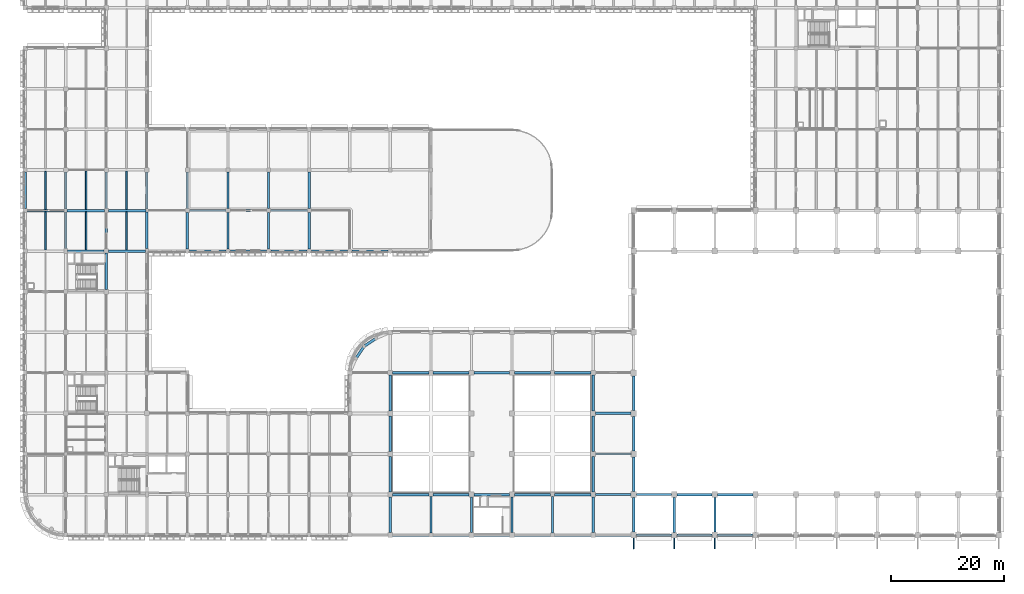
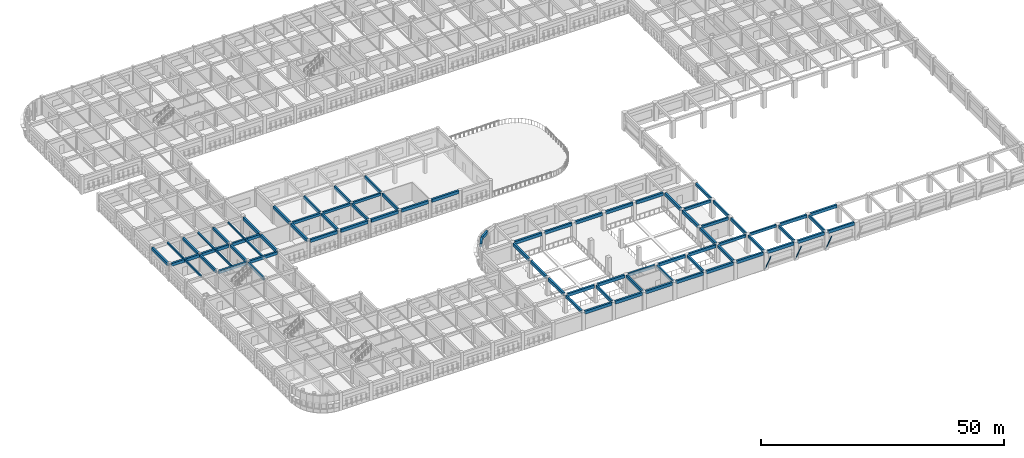
# One storey, part 5 of 61: 80 beams, 3 members.
"""IFC4 building model written with IfcOpenShell, lengths in metres."""

from ifc_helpers import new_model, si_unit, direction, frame, origin, origin_2d, place, context, subcontext, project, spatial, rectangle, hollow_circle, extrude, material, material_profile, profile_set, type_object, element, save


model = new_model("IFC4")

# Units and contexts
model_context = context("Model", 3, precision=1e-05, world=origin(), true_north=direction((0.0, 1.0)))
body_context = subcontext(model_context, "Body", "Model", "MODEL_VIEW")
ifc_project = project(units=[si_unit("LENGTHUNIT", "METRE"), si_unit("AREAUNIT", "SQUARE_METRE"), si_unit("VOLUMEUNIT", "CUBIC_METRE"), si_unit("PLANEANGLEUNIT", "RADIAN"), si_unit("MASSUNIT", "GRAM", prefix="KILO")], contexts=[model_context])

# Site, building, storey
site_placement = place(None, origin())
site = spatial("IfcSite", under=ifc_project, at=site_placement, CompositionType="ELEMENT")
building_placement = place(site_placement, origin())
building = spatial("IfcBuilding", under=site, at=building_placement, Name="Thalmaran Polytechnic", CompositionType="ELEMENT")
storey_placement = place(building_placement, frame((0.0, 0.0, 9.89990234375)))
storey = spatial("IfcBuildingStorey", under=building, at=storey_placement, Name="L02", CompositionType="ELEMENT", Elevation=9.89990234375)

# Beams
ifc_material_1 = material(Name="Concrete C40/50", Category="concrete")
ifc_material_profile_1 = material_profile(ifc_material_1, rectangle(XDim=0.449951171875, YDim=0.72509765625, at=origin_2d()), Name="RC 450x725")
ifc_profile_set_1 = profile_set([ifc_material_profile_1], Name="Concrete C40/50")
beam_type_1 = type_object("IfcBeamType", Name="BM-RC04", PredefinedType="BEAM", material=ifc_profile_set_1)
beam_1_placement = place(storey_placement, frame((7.47509765625, 50.39990234375, 3.862548828125), z_axis=(1.0, 0.0, 0.0), x_axis=(0.0, 1.0, 0.0)))
element("IfcBeam", 1, at=beam_1_placement, inside=storey, type_object=beam_type_1, Name="Grid Beam B04 L02 X(1,7)", PredefinedType="BEAM", context=body_context, shape_type="SweptSolid", body=[
    extrude(rectangle(XDim=0.449951171875, YDim=0.72509765625, at=origin_2d()), origin(), (0.0, 0.0, 1.0), 6.5498046875),
])
beam_2_placement = place(storey_placement, frame((7.39990234375, 57.60009765625, 3.862548828125), z_axis=(1.0, 0.0, 0.0), x_axis=(0.0, 1.0, 0.0)))
element("IfcBeam", 2, at=beam_2_placement, inside=storey, type_object=beam_type_1, Name="Grid Beam B04 L02 X(1,8)", PredefinedType="BEAM", context=body_context, shape_type="SweptSolid", body=[
    extrude(rectangle(XDim=0.449951171875, YDim=0.72509765625, at=origin_2d()), origin(), (0.0, 0.0, 1.0), 6.64013671875),
])
ifc_material_profile_2 = material_profile(ifc_material_1, rectangle(XDim=0.39990234375, YDim=0.64990234375, at=origin_2d()), Name="RC 400x650")
ifc_profile_set_2 = profile_set([ifc_material_profile_2], Name="Concrete C40/50")
beam_type_2 = type_object("IfcBeamType", Name="BM-RC06", PredefinedType="BEAM", material=ifc_profile_set_2)
beam_3_placement = place(storey_placement, frame((36.324951171875, 57.60009765625, 4.175048828125), z_axis=(1.0, 0.0, 0.0), x_axis=(0.0, 1.0, 0.0)))
element("IfcBeam", 3, at=beam_3_placement, inside=storey, type_object=beam_type_2, Name="Grid Beam B06 L02 X(5,8)", PredefinedType="BEAM", context=body_context, shape_type="SweptSolid", body=[
    extrude(rectangle(XDim=0.39990234375, YDim=0.64990234375, at=origin_2d()), origin(), (0.0, 0.0, 1.0), 6.550048828125),
])
beam_4_placement = place(storey_placement, frame((108.47509765625, 7.199951171875, 4.175048828125), z_axis=(1.0, 0.0, 0.0), x_axis=(0.0, 1.0, 0.0)))
element("IfcBeam", 4, at=beam_4_placement, inside=storey, type_object=beam_type_2, Name="Grid Beam B06 L02 X(15,1)", PredefinedType="BEAM", context=body_context, shape_type="SweptSolid", body=[
    extrude(rectangle(XDim=0.39990234375, YDim=0.64990234375, at=origin_2d()), origin(), (0.0, 0.0, 1.0), 6.25),
])
ifc_material_profile_3 = material_profile(ifc_material_1, rectangle(XDim=0.389892578125, YDim=0.68505859375, at=origin_2d()), Name="RC 390x685")
ifc_profile_set_3 = profile_set([ifc_material_profile_3], Name="Concrete C40/50")
beam_type_3 = type_object("IfcBeamType", Name="BM-RC08", PredefinedType="BEAM", material=ifc_profile_set_3)
beam_5_placement = place(storey_placement, frame((14.39990234375, 43.590087890625, 3.882568359375), z_axis=(0.0, 1.0, 0.0), x_axis=(-1.0, 0.0, 0.0)))
element("IfcBeam", 5, at=beam_5_placement, inside=storey, type_object=beam_type_3, Name="Grid Beam B08 L02 Y(2,6)", PredefinedType="BEAM", context=body_context, shape_type="SweptSolid", body=[
    extrude(rectangle(XDim=0.389892578125, YDim=0.68505859375, at=origin_2d()), origin(), (0.0, 0.0, 1.0), 6.434814453125),
])
ifc_material_profile_4 = material_profile(ifc_material_1, rectangle(XDim=0.389892578125, YDim=0.68994140625, at=origin_2d()), Name="RC 390x690")
ifc_profile_set_4 = profile_set([ifc_material_profile_4], Name="Concrete C40/50")
beam_type_4 = type_object("IfcBeamType", Name="BM-RC09", PredefinedType="BEAM", material=ifc_profile_set_4)
beam_6_placement = place(storey_placement, frame((7.199951171875, 57.89990234375, 3.880126953125), z_axis=(0.0, 1.0, 0.0), x_axis=(-1.0, 0.0, 0.0)))
element("IfcBeam", 6, at=beam_6_placement, inside=storey, type_object=beam_type_4, Name="Grid Beam B09 L02 Y(1,8)", PredefinedType="BEAM", context=body_context, shape_type="SweptSolid", body=[
    extrude(rectangle(XDim=0.389892578125, YDim=0.68994140625, at=origin_2d()), origin(), (0.0, 0.0, 1.0), 6.510009765625),
])
beam_7_placement = place(storey_placement, frame((14.39990234375, 57.9599609375, 3.880126953125), z_axis=(0.0, 1.0, 0.0), x_axis=(-1.0, 0.0, 0.0)))
element("IfcBeam", 7, at=beam_7_placement, inside=storey, type_object=beam_type_4, Name="Grid Beam B09 L02 Y(2,8)", PredefinedType="BEAM", context=body_context, shape_type="SweptSolid", body=[
    extrude(rectangle(XDim=0.389892578125, YDim=0.68994140625, at=origin_2d()), origin(), (0.0, 0.0, 1.0), 6.489990234375),
])
for number, where, z_axis, x_axis, name in (
    (8, (36.0, 57.925048828125, 4.155029296875), (0.0, 1.0, 0.0), (-1.0, 0.0, 0.0), "Grid Beam B09 L02 Y(5,8)"),
    (9, (43.199951171875, 57.925048828125, 4.155029296875), (0.0, 1.0, 0.0), (-1.0, 0.0, 0.0), "Grid Beam B09 L02 Y(6,8)"),
    (10, (50.39990234375, 57.925048828125, 4.155029296875), (0.0, 1.0, 0.0), (-1.0, 0.0, 0.0), "Grid Beam B09 L02 Y(7,8)"),
):
    element("IfcBeam", number, at=place(storey_placement, frame(where, z_axis=z_axis, x_axis=x_axis)), inside=storey, type_object=beam_type_4, Name=name, PredefinedType="BEAM", context=body_context, shape_type="SweptSolid", body=[
        extrude(rectangle(XDim=0.389892578125, YDim=0.68994140625, at=origin_2d()), origin(), (0.0, 0.0, 1.0), 6.550048828125),
    ])
beam_8_placement = place(storey_placement, frame((108.0, 7.72509765625, 4.155029296875), z_axis=(0.0, 1.0, 0.0), x_axis=(-1.0, 0.0, 0.0)))
element("IfcBeam", 11, at=beam_8_placement, inside=storey, type_object=beam_type_4, Name="Grid Beam B09 L02 Y(15,1)", PredefinedType="BEAM", context=body_context, shape_type="SweptSolid", body=[
    extrude(rectangle(XDim=0.389892578125, YDim=0.68994140625, at=origin_2d()), origin(), (0.0, 0.0, 1.0), 6.14990234375),
])
ifc_material_profile_5 = material_profile(ifc_material_1, rectangle(XDim=0.389892578125, YDim=0.695068359375, at=origin_2d()), Name="RC 390x695")
ifc_profile_set_5 = profile_set([ifc_material_profile_5], Name="Concrete C40/50")
beam_type_5 = type_object("IfcBeamType", Name="BM-RC10", PredefinedType="BEAM", material=ifc_profile_set_5)
beam_9_placement = place(storey_placement, frame((108.0, 22.125, 4.152587890625), z_axis=(0.0, 1.0, 0.0), x_axis=(-1.0, 0.0, 0.0)))
element("IfcBeam", 12, at=beam_9_placement, inside=storey, type_object=beam_type_5, Name="Grid Beam B10 L02 Y(15,3)", PredefinedType="BEAM", context=body_context, shape_type="SweptSolid", body=[
    extrude(rectangle(XDim=0.389892578125, YDim=0.695068359375, at=origin_2d()), origin(), (0.0, 0.0, 1.0), 6.14990234375),
])
ifc_material_profile_6 = material_profile(ifc_material_1, rectangle(XDim=0.300048828125, YDim=0.5, at=origin_2d()), Name="RC 300x500")
ifc_profile_set_6 = profile_set([ifc_material_profile_6], Name="Concrete C40/50")
beam_type_6 = type_object("IfcBeamType", Name="BM-RC11", PredefinedType="JOIST", material=ifc_profile_set_6)
beam_10_placement = place(storey_placement, frame((3.60009765625, 50.6298828125, 3.97509765625), z_axis=(0.0, 1.0, 0.0), x_axis=(-1.0, 0.0, 0.0)))
element("IfcBeam", 13, at=beam_10_placement, inside=storey, type_object=beam_type_6, Name="Secondary Floor Rib RB01 L02 (0,7)", PredefinedType="JOIST", context=body_context, shape_type="SweptSolid", body=[
    extrude(rectangle(XDim=0.300048828125, YDim=0.5, at=origin_2d()), origin(), (0.0, 0.0, 1.0), 6.740234375),
])
ifc_material_profile_7 = material_profile(ifc_material_1, rectangle(XDim=0.300048828125, YDim=0.449951171875, at=origin_2d()), Name="RC 300x450")
ifc_profile_set_7 = profile_set([ifc_material_profile_7], Name="Concrete C40/50")
beam_type_7 = type_object("IfcBeamType", Name="BM-RC12", PredefinedType="JOIST", material=ifc_profile_set_7)
beam_11_placement = place(storey_placement, frame((10.800048828125, 57.824951171875, 4.0), z_axis=(0.0, 1.0, 0.0), x_axis=(-1.0, 0.0, 0.0)))
element("IfcBeam", 14, at=beam_11_placement, inside=storey, type_object=beam_type_7, Name="Secondary Floor Rib RB02 L02 (1,8)", PredefinedType="JOIST", context=body_context, shape_type="SweptSolid", body=[
    extrude(rectangle(XDim=0.300048828125, YDim=0.449951171875, at=origin_2d()), origin(), (0.0, 0.0, 1.0), 6.75),
])
beam_12_placement = place(storey_placement, frame((18.0, 50.6201171875, 4.0), z_axis=(0.0, 1.0, 0.0), x_axis=(-1.0, 0.0, 0.0)))
element("IfcBeam", 15, at=beam_12_placement, inside=storey, type_object=beam_type_7, Name="Secondary Floor Rib RB02 L02 (2,7)", PredefinedType="JOIST", context=body_context, shape_type="SweptSolid", body=[
    extrude(rectangle(XDim=0.300048828125, YDim=0.449951171875, at=origin_2d()), origin(), (0.0, 0.0, 1.0), 6.759765625),
])
ifc_material_profile_8 = material_profile(ifc_material_1, rectangle(XDim=0.449951171875, YDim=0.7548828125, at=origin_2d()), Name="RC 450x755")
ifc_profile_set_8 = profile_set([ifc_material_profile_8], Name="Concrete C40/50")
beam_type_8 = type_object("IfcBeamType", Name="BM-SP02", PredefinedType="SPANDREL", material=ifc_profile_set_8)
for number, where, z_axis, x_axis, name in (
    (16, (29.199951171875, 50.39990234375, 4.12255859375), (1.0, 0.0, 0.0), (0.0, 1.0, 0.0), "Grid Beam SP02 L02 X(4,7)"),
    (17, (36.39990234375, 50.39990234375, 4.12255859375), (1.0, 0.0, 0.0), (0.0, 1.0, 0.0), "Grid Beam SP02 L02 X(5,7)"),
):
    element("IfcBeam", number, at=place(storey_placement, frame(where, z_axis=z_axis, x_axis=x_axis)), inside=storey, type_object=beam_type_8, Name=name, PredefinedType="SPANDREL", context=body_context, shape_type="SweptSolid", body=[
        extrude(rectangle(XDim=0.449951171875, YDim=0.7548828125, at=origin_2d()), origin(), (0.0, 0.0, 1.0), 6.400146484375),
    ])
for number, where, z_axis, x_axis, name in (
    (18, (43.60009765625, 50.39990234375, 4.12255859375), (1.0, 0.0, 0.0), (0.0, 1.0, 0.0), "Grid Beam SP02 L02 X(6,7)"),
    (19, (50.800048828125, 50.39990234375, 4.12255859375), (1.0, 0.0, 0.0), (0.0, 1.0, 0.0), "Grid Beam SP02 L02 X(7,7)"),
    (20, (58.0, 50.39990234375, 4.12255859375), (1.0, 0.0, 0.0), (0.0, 1.0, 0.0), "Grid Beam SP02 L02 X(8,7)"),
    (21, (65.22509765625, 0.0, 4.12255859375), (1.0, 0.0, 0.0), (0.0, 1.0, 0.0), "Grid Beam SP02 L02 X(9,0)"),
    (22, (65.22509765625, 7.199951171875, 4.12255859375), (1.0, 0.0, 0.0), (0.0, 1.0, 0.0), "Grid Beam SP02 L02 X(9,1)"),
    (23, (65.22509765625, 28.800048828125, 4.12255859375), (1.0, 0.0, 0.0), (0.0, 1.0, 0.0), "Grid Beam SP02 L02 X(9,4)"),
    (24, (72.375, 0.0, 4.12255859375), (1.0, 0.0, 0.0), (0.0, 1.0, 0.0), "Grid Beam SP02 L02 X(10,0)"),
    (25, (72.375, 7.199951171875, 4.12255859375), (1.0, 0.0, 0.0), (0.0, 1.0, 0.0), "Grid Beam SP02 L02 X(10,1)"),
    (26, (72.375, 28.800048828125, 4.12255859375), (1.0, 0.0, 0.0), (0.0, 1.0, 0.0), "Grid Beam SP02 L02 X(10,4)"),
):
    element("IfcBeam", number, at=place(storey_placement, frame(where, z_axis=z_axis, x_axis=x_axis)), inside=storey, type_object=beam_type_8, Name=name, PredefinedType="SPANDREL", context=body_context, shape_type="SweptSolid", body=[
        extrude(rectangle(XDim=0.449951171875, YDim=0.7548828125, at=origin_2d()), origin(), (0.0, 0.0, 1.0), 6.39990234375),
    ])
for number, where, z_axis, x_axis, name in (
    (27, (79.625, 0.0, 4.12255859375), (1.0, 0.0, 0.0), (0.0, 1.0, 0.0), "Grid Beam SP02 L02 X(11,0)"),
    (28, (79.625, 7.199951171875, 4.12255859375), (1.0, 0.0, 0.0), (0.0, 1.0, 0.0), "Grid Beam SP02 L02 X(11,1)"),
    (29, (79.625, 28.800048828125, 4.12255859375), (1.0, 0.0, 0.0), (0.0, 1.0, 0.0), "Grid Beam SP02 L02 X(11,4)"),
):
    element("IfcBeam", number, at=place(storey_placement, frame(where, z_axis=z_axis, x_axis=x_axis)), inside=storey, type_object=beam_type_8, Name=name, PredefinedType="SPANDREL", context=body_context, shape_type="SweptSolid", body=[
        extrude(rectangle(XDim=0.449951171875, YDim=0.7548828125, at=origin_2d()), origin(), (0.0, 0.0, 1.0), 6.35009765625),
    ])
for number, where, z_axis, x_axis, name in (
    (30, (86.824951171875, 0.0, 4.12255859375), (1.0, 0.0, 0.0), (0.0, 1.0, 0.0), "Grid Beam SP02 L02 X(12,0)"),
    (31, (86.824951171875, 7.199951171875, 4.12255859375), (1.0, 0.0, 0.0), (0.0, 1.0, 0.0), "Grid Beam SP02 L02 X(12,1)"),
    (32, (86.824951171875, 28.800048828125, 4.12255859375), (1.0, 0.0, 0.0), (0.0, 1.0, 0.0), "Grid Beam SP02 L02 X(12,4)"),
):
    element("IfcBeam", number, at=place(storey_placement, frame(where, z_axis=z_axis, x_axis=x_axis)), inside=storey, type_object=beam_type_8, Name=name, PredefinedType="SPANDREL", context=body_context, shape_type="SweptSolid", body=[
        extrude(rectangle(XDim=0.449951171875, YDim=0.7548828125, at=origin_2d()), origin(), (0.0, 0.0, 1.0), 6.400146484375),
    ])
for number, where, z_axis, x_axis, name in (
    (33, (93.97509765625, 0.0, 4.12255859375), (1.0, 0.0, 0.0), (0.0, 1.0, 0.0), "Grid Beam SP02 L02 X(13,0)"),
    (34, (93.97509765625, 7.199951171875, 4.12255859375), (1.0, 0.0, 0.0), (0.0, 1.0, 0.0), "Grid Beam SP02 L02 X(13,1)"),
    (35, (93.97509765625, 28.800048828125, 4.12255859375), (1.0, 0.0, 0.0), (0.0, 1.0, 0.0), "Grid Beam SP02 L02 X(13,4)"),
):
    element("IfcBeam", number, at=place(storey_placement, frame(where, z_axis=z_axis, x_axis=x_axis)), inside=storey, type_object=beam_type_8, Name=name, PredefinedType="SPANDREL", context=body_context, shape_type="SweptSolid", body=[
        extrude(rectangle(XDim=0.449951171875, YDim=0.7548828125, at=origin_2d()), origin(), (0.0, 0.0, 1.0), 6.39990234375),
    ])
beam_13_placement = place(storey_placement, frame((101.22509765625, 0.0, 4.12255859375), z_axis=(1.0, 0.0, 0.0), x_axis=(0.0, 1.0, 0.0)))
element("IfcBeam", 36, at=beam_13_placement, inside=storey, type_object=beam_type_8, Name="Grid Beam SP02 L02 X(14,0)", PredefinedType="SPANDREL", context=body_context, shape_type="SweptSolid", body=[
    extrude(rectangle(XDim=0.449951171875, YDim=0.7548828125, at=origin_2d()), origin(), (0.0, 0.0, 1.0), 6.2998046875),
])
beam_14_placement = place(storey_placement, frame((108.47509765625, 0.0, 4.12255859375), z_axis=(1.0, 0.0, 0.0), x_axis=(0.0, 1.0, 0.0)))
element("IfcBeam", 37, at=beam_14_placement, inside=storey, type_object=beam_type_8, Name="Grid Beam SP02 L02 X(15,0)", PredefinedType="SPANDREL", context=body_context, shape_type="SweptSolid", body=[
    extrude(rectangle(XDim=0.449951171875, YDim=0.7548828125, at=origin_2d()), origin(), (0.0, 0.0, 1.0), 6.224853515625),
])
beam_15_placement = place(storey_placement, frame((115.699951171875, 0.0, 4.12255859375), z_axis=(1.0, 0.0, 0.0), x_axis=(0.0, 1.0, 0.0)))
element("IfcBeam", 38, at=beam_15_placement, inside=storey, type_object=beam_type_8, Name="Grid Beam SP02 L02 X(16,0)", PredefinedType="SPANDREL", context=body_context, shape_type="SweptSolid", body=[
    extrude(rectangle(XDim=0.449951171875, YDim=0.7548828125, at=origin_2d()), origin(), (0.0, 0.0, 1.0), 6.22509765625),
])
beam_16_placement = place(storey_placement, frame((115.675048828125, 7.199951171875, 4.12255859375), z_axis=(1.0, 0.0, 0.0), x_axis=(0.0, 1.0, 0.0)))
element("IfcBeam", 39, at=beam_16_placement, inside=storey, type_object=beam_type_8, Name="Grid Beam SP02 L02 X(16,1)", PredefinedType="SPANDREL", context=body_context, shape_type="SweptSolid", body=[
    extrude(rectangle(XDim=0.449951171875, YDim=0.7548828125, at=origin_2d()), origin(), (0.0, 0.0, 1.0), 6.25),
])
beam_17_placement = place(storey_placement, frame((122.875, 0.0, 4.12255859375), z_axis=(1.0, 0.0, 0.0), x_axis=(0.0, 1.0, 0.0)))
element("IfcBeam", 40, at=beam_17_placement, inside=storey, type_object=beam_type_8, Name="Grid Beam SP02 L02 X(17,0)", PredefinedType="SPANDREL", context=body_context, shape_type="SweptSolid", body=[
    extrude(rectangle(XDim=0.449951171875, YDim=0.7548828125, at=origin_2d()), origin(), (0.0, 0.0, 1.0), 6.22509765625),
])
beam_18_placement = place(storey_placement, frame((122.875, 7.199951171875, 4.12255859375), z_axis=(1.0, 0.0, 0.0), x_axis=(0.0, 1.0, 0.0)))
element("IfcBeam", 41, at=beam_18_placement, inside=storey, type_object=beam_type_8, Name="Grid Beam SP02 L02 X(17,1)", PredefinedType="SPANDREL", context=body_context, shape_type="SweptSolid", body=[
    extrude(rectangle(XDim=0.449951171875, YDim=0.7548828125, at=origin_2d()), origin(), (0.0, 0.0, 1.0), 6.25),
])
beam_19_placement = place(storey_placement, frame((0.0, 57.9599609375, 3.84765625), z_axis=(0.0, 1.0, 0.0), x_axis=(-1.0, 0.0, 0.0)))
element("IfcBeam", 42, at=beam_19_placement, inside=storey, type_object=beam_type_8, Name="Grid Beam SP02 L02 Y(0,8)", PredefinedType="SPANDREL", context=body_context, shape_type="SweptSolid", body=[
    extrude(rectangle(XDim=0.449951171875, YDim=0.7548828125, at=origin_2d()), origin(), (0.0, 0.0, 1.0), 6.489990234375),
])
beam_20_placement = place(storey_placement, frame((21.60009765625, 50.824951171875, 3.84765625), z_axis=(0.0, 1.0, 0.0), x_axis=(-1.0, 0.0, 0.0)))
element("IfcBeam", 43, at=beam_20_placement, inside=storey, type_object=beam_type_8, Name="Grid Beam SP02 L02 Y(3,7)", PredefinedType="SPANDREL", context=body_context, shape_type="SweptSolid", body=[
    extrude(rectangle(XDim=0.449951171875, YDim=0.7548828125, at=origin_2d()), origin(), (0.0, 0.0, 1.0), 6.47509765625),
])
beam_21_placement = place(storey_placement, frame((21.60009765625, 57.89990234375, 3.84765625), z_axis=(0.0, 1.0, 0.0), x_axis=(-1.0, 0.0, 0.0)))
element("IfcBeam", 44, at=beam_21_placement, inside=storey, type_object=beam_type_8, Name="Grid Beam SP02 L02 Y(3,8)", PredefinedType="SPANDREL", context=body_context, shape_type="SweptSolid", body=[
    extrude(rectangle(XDim=0.449951171875, YDim=0.7548828125, at=origin_2d()), origin(), (0.0, 0.0, 1.0), 6.510009765625),
])
beam_22_placement = place(storey_placement, frame((28.800048828125, 50.800048828125, 4.12255859375), z_axis=(0.0, 1.0, 0.0), x_axis=(-1.0, 0.0, 0.0)))
element("IfcBeam", 45, at=beam_22_placement, inside=storey, type_object=beam_type_8, Name="Grid Beam SP02 L02 Y(4,7)", PredefinedType="SPANDREL", context=body_context, shape_type="SweptSolid", body=[
    extrude(rectangle(XDim=0.449951171875, YDim=0.7548828125, at=origin_2d()), origin(), (0.0, 0.0, 1.0), 6.474853515625),
])
beam_23_placement = place(storey_placement, frame((28.800048828125, 57.925048828125, 4.12255859375), z_axis=(0.0, 1.0, 0.0), x_axis=(-1.0, 0.0, 0.0)))
element("IfcBeam", 46, at=beam_23_placement, inside=storey, type_object=beam_type_8, Name="Grid Beam SP02 L02 Y(4,8)", PredefinedType="SPANDREL", context=body_context, shape_type="SweptSolid", body=[
    extrude(rectangle(XDim=0.449951171875, YDim=0.7548828125, at=origin_2d()), origin(), (0.0, 0.0, 1.0), 6.550048828125),
])
for number, where, z_axis, x_axis, name in (
    (47, (64.800048828125, 7.625, 4.12255859375), (0.0, 1.0, 0.0), (-1.0, 0.0, 0.0), "Grid Beam SP02 L02 Y(9,1)"),
    (48, (64.800048828125, 14.824951171875, 4.12255859375), (0.0, 1.0, 0.0), (-1.0, 0.0, 0.0), "Grid Beam SP02 L02 Y(9,2)"),
    (49, (64.800048828125, 22.02490234375, 4.12255859375), (0.0, 1.0, 0.0), (-1.0, 0.0, 0.0), "Grid Beam SP02 L02 Y(9,3)"),
    (50, (100.800048828125, 7.625, 4.12255859375), (0.0, 1.0, 0.0), (-1.0, 0.0, 0.0), "Grid Beam SP02 L02 Y(14,1)"),
    (51, (100.800048828125, 14.824951171875, 4.12255859375), (0.0, 1.0, 0.0), (-1.0, 0.0, 0.0), "Grid Beam SP02 L02 Y(14,2)"),
    (52, (100.800048828125, 22.02490234375, 4.12255859375), (0.0, 1.0, 0.0), (-1.0, 0.0, 0.0), "Grid Beam SP02 L02 Y(14,3)"),
):
    element("IfcBeam", number, at=place(storey_placement, frame(where, z_axis=z_axis, x_axis=x_axis)), inside=storey, type_object=beam_type_8, Name=name, PredefinedType="SPANDREL", context=body_context, shape_type="SweptSolid", body=[
        extrude(rectangle(XDim=0.449951171875, YDim=0.7548828125, at=origin_2d()), origin(), (0.0, 0.0, 1.0), 6.35009765625),
    ])
for number, where, z_axis, x_axis, name in (
    (53, (62.2666015625, 34.916015625, 4.16015625), (-0.831468192338, -0.555572358141, 0.0), (0.555572358141, -0.831468192338, 0.0), "Lecture Curved Eave Ring Beam 2"),
    (54, (60.118896484375, 33.48095703125, 4.16015625), (-0.555572358141, -0.831468192338, 0.0), (0.831468192338, -0.555572358141, 0.0), "Lecture Curved Eave Ring Beam 3"),
):
    element("IfcBeam", number, at=place(storey_placement, frame(where, z_axis=z_axis, x_axis=x_axis)), inside=storey, type_object=beam_type_8, Name=name, PredefinedType="SPANDREL", context=body_context, shape_type="SweptSolid", body=[
        extrude(rectangle(XDim=0.449951171875, YDim=0.7548828125, at=origin_2d()), origin(), (0.0, 0.0, 1.0), 2.5830078125),
    ])
ifc_material_profile_9 = material_profile(ifc_material_1, rectangle(XDim=0.4599609375, YDim=0.739990234375, at=origin_2d()), Name="RC 460x740")
ifc_profile_set_9 = profile_set([ifc_material_profile_9], Name="Concrete C40/50")
beam_type_9 = type_object("IfcBeamType", Name="BM-ZB02", PredefinedType="BEAM", material=ifc_profile_set_9)
beam_24_placement = place(storey_placement, frame((0.360107421875, 57.60009765625, 3.85498046875), z_axis=(1.0, 0.0, 0.0), x_axis=(0.0, 1.0, 0.0)))
element("IfcBeam", 55, at=beam_24_placement, inside=storey, type_object=beam_type_9, Name="Grid Beam ZB02 L02 X(0,8)", PredefinedType="BEAM", context=body_context, shape_type="SweptSolid", body=[
    extrude(rectangle(XDim=0.4599609375, YDim=0.739990234375, at=origin_2d()), origin(), (0.0, 0.0, 1.0), 6.639892578125),
])
ifc_material_profile_10 = material_profile(ifc_material_1, rectangle(XDim=0.43994140625, YDim=0.719970703125, at=origin_2d()), Name="RC 440x720")
ifc_profile_set_10 = profile_set([ifc_material_profile_10], Name="Concrete C40/50")
beam_type_10 = type_object("IfcBeamType", Name="BM-ZB03", PredefinedType="BEAM", material=ifc_profile_set_10)
beam_25_placement = place(storey_placement, frame((14.77490234375, 50.39990234375, 3.864990234375), z_axis=(1.0, 0.0, 0.0), x_axis=(0.0, 1.0, 0.0)))
element("IfcBeam", 56, at=beam_25_placement, inside=storey, type_object=beam_type_10, Name="Grid Beam ZB03 L02 X(2,7)", PredefinedType="BEAM", context=body_context, shape_type="SweptSolid", body=[
    extrude(rectangle(XDim=0.43994140625, YDim=0.719970703125, at=origin_2d()), origin(), (0.0, 0.0, 1.0), 6.550048828125),
])
beam_26_placement = place(storey_placement, frame((14.760009765625, 57.60009765625, 3.864990234375), z_axis=(1.0, 0.0, 0.0), x_axis=(0.0, 1.0, 0.0)))
element("IfcBeam", 57, at=beam_26_placement, inside=storey, type_object=beam_type_10, Name="Grid Beam ZB03 L02 X(2,8)", PredefinedType="BEAM", context=body_context, shape_type="SweptSolid", body=[
    extrude(rectangle(XDim=0.43994140625, YDim=0.719970703125, at=origin_2d()), origin(), (0.0, 0.0, 1.0), 6.639892578125),
])
ifc_material_profile_11 = material_profile(ifc_material_1, rectangle(XDim=0.419921875, YDim=0.659912109375, at=origin_2d()), Name="RC 420x660")
ifc_profile_set_11 = profile_set([ifc_material_profile_11], Name="Concrete C40/50")
beam_type_11 = type_object("IfcBeamType", Name="BM-ZB04", PredefinedType="BEAM", material=ifc_profile_set_11)
beam_27_placement = place(storey_placement, frame((29.125, 57.60009765625, 4.170166015625), z_axis=(1.0, 0.0, 0.0), x_axis=(0.0, 1.0, 0.0)))
element("IfcBeam", 58, at=beam_27_placement, inside=storey, type_object=beam_type_11, Name="Grid Beam ZB04 L02 X(4,8)", PredefinedType="BEAM", context=body_context, shape_type="SweptSolid", body=[
    extrude(rectangle(XDim=0.419921875, YDim=0.659912109375, at=origin_2d()), origin(), (0.0, 0.0, 1.0), 6.550048828125),
])
for number, where, z_axis, x_axis, name in (
    (59, (101.22509765625, 7.199951171875, 4.170166015625), (1.0, 0.0, 0.0), (0.0, 1.0, 0.0), "Grid Beam ZB04 L02 X(14,1)"),
    (60, (101.22509765625, 14.39990234375, 4.170166015625), (1.0, 0.0, 0.0), (0.0, 1.0, 0.0), "Grid Beam ZB04 L02 X(14,2)"),
    (61, (101.22509765625, 21.60009765625, 4.170166015625), (1.0, 0.0, 0.0), (0.0, 1.0, 0.0), "Grid Beam ZB04 L02 X(14,3)"),
):
    element("IfcBeam", number, at=place(storey_placement, frame(where, z_axis=z_axis, x_axis=x_axis)), inside=storey, type_object=beam_type_11, Name=name, PredefinedType="BEAM", context=body_context, shape_type="SweptSolid", body=[
        extrude(rectangle(XDim=0.419921875, YDim=0.659912109375, at=origin_2d()), origin(), (0.0, 0.0, 1.0), 6.2998046875),
    ])
ifc_material_profile_12 = material_profile(ifc_material_1, rectangle(XDim=0.3798828125, YDim=0.639892578125, at=origin_2d()), Name="RC 380x640")
ifc_profile_set_12 = profile_set([ifc_material_profile_12], Name="Concrete C40/50")
beam_type_12 = type_object("IfcBeamType", Name="BM-ZB05", PredefinedType="BEAM", material=ifc_profile_set_12)
beam_28_placement = place(storey_placement, frame((43.52490234375, 57.60009765625, 4.18017578125), z_axis=(1.0, 0.0, 0.0), x_axis=(0.0, 1.0, 0.0)))
element("IfcBeam", 62, at=beam_28_placement, inside=storey, type_object=beam_type_12, Name="Grid Beam ZB05 L02 X(6,8)", PredefinedType="BEAM", context=body_context, shape_type="SweptSolid", body=[
    extrude(rectangle(XDim=0.3798828125, YDim=0.639892578125, at=origin_2d()), origin(), (0.0, 0.0, 1.0), 6.550048828125),
])
ifc_material_profile_13 = material_profile(ifc_material_1, rectangle(XDim=0.39990234375, YDim=0.68505859375, at=origin_2d()), Name="RC 400x685")
ifc_profile_set_13 = profile_set([ifc_material_profile_13], Name="Concrete C40/50")
beam_type_13 = type_object("IfcBeamType", Name="BM-ZB07", PredefinedType="BEAM", material=ifc_profile_set_13)
beam_29_placement = place(storey_placement, frame((7.199951171875, 50.824951171875, 3.882568359375), z_axis=(0.0, 1.0, 0.0), x_axis=(-1.0, 0.0, 0.0)))
element("IfcBeam", 63, at=beam_29_placement, inside=storey, type_object=beam_type_13, Name="Grid Beam ZB07 L02 Y(1,7)", PredefinedType="BEAM", context=body_context, shape_type="SweptSolid", body=[
    extrude(rectangle(XDim=0.39990234375, YDim=0.68505859375, at=origin_2d()), origin(), (0.0, 0.0, 1.0), 6.47509765625),
])
beam_30_placement = place(storey_placement, frame((14.39990234375, 50.77490234375, 3.882568359375), z_axis=(0.0, 1.0, 0.0), x_axis=(-1.0, 0.0, 0.0)))
element("IfcBeam", 64, at=beam_30_placement, inside=storey, type_object=beam_type_13, Name="Grid Beam ZB07 L02 Y(2,7)", PredefinedType="BEAM", context=body_context, shape_type="SweptSolid", body=[
    extrude(rectangle(XDim=0.39990234375, YDim=0.68505859375, at=origin_2d()), origin(), (0.0, 0.0, 1.0), 6.465087890625),
])
for number, where, z_axis, x_axis, name in (
    (65, (36.0, 50.800048828125, 4.15771484375), (0.0, 1.0, 0.0), (-1.0, 0.0, 0.0), "Grid Beam ZB07 L02 Y(5,7)"),
    (66, (43.199951171875, 50.800048828125, 4.15771484375), (0.0, 1.0, 0.0), (-1.0, 0.0, 0.0), "Grid Beam ZB07 L02 Y(6,7)"),
    (67, (50.39990234375, 50.800048828125, 4.15771484375), (0.0, 1.0, 0.0), (-1.0, 0.0, 0.0), "Grid Beam ZB07 L02 Y(7,7)"),
):
    element("IfcBeam", number, at=place(storey_placement, frame(where, z_axis=z_axis, x_axis=x_axis)), inside=storey, type_object=beam_type_13, Name=name, PredefinedType="BEAM", context=body_context, shape_type="SweptSolid", body=[
        extrude(rectangle(XDim=0.39990234375, YDim=0.68505859375, at=origin_2d()), origin(), (0.0, 0.0, 1.0), 6.474853515625),
    ])
beam_31_placement = place(storey_placement, frame((64.800048828125, 0.425048828125, 4.15771484375), z_axis=(0.0, 1.0, 0.0), x_axis=(-1.0, 0.0, 0.0)))
element("IfcBeam", 68, at=beam_31_placement, inside=storey, type_object=beam_type_13, Name="Grid Beam ZB07 L02 Y(9,0)", PredefinedType="BEAM", context=body_context, shape_type="SweptSolid", body=[
    extrude(rectangle(XDim=0.39990234375, YDim=0.68505859375, at=origin_2d()), origin(), (0.0, 0.0, 1.0), 6.349853515625),
])
beam_32_placement = place(storey_placement, frame((72.0, 0.375, 4.15771484375), z_axis=(0.0, 1.0, 0.0), x_axis=(-1.0, 0.0, 0.0)))
element("IfcBeam", 69, at=beam_32_placement, inside=storey, type_object=beam_type_13, Name="Grid Beam ZB07 L02 Y(10,0)", PredefinedType="BEAM", context=body_context, shape_type="SweptSolid", body=[
    extrude(rectangle(XDim=0.39990234375, YDim=0.68505859375, at=origin_2d()), origin(), (0.0, 0.0, 1.0), 6.449951171875),
])
for number, where, z_axis, x_axis, name in (
    (70, (79.199951171875, 0.425048828125, 4.15771484375), (0.0, 1.0, 0.0), (-1.0, 0.0, 0.0), "Grid Beam ZB07 L02 Y(11,0)"),
    (71, (86.39990234375, 0.425048828125, 4.15771484375), (0.0, 1.0, 0.0), (-1.0, 0.0, 0.0), "Grid Beam ZB07 L02 Y(12,0)"),
):
    element("IfcBeam", number, at=place(storey_placement, frame(where, z_axis=z_axis, x_axis=x_axis)), inside=storey, type_object=beam_type_13, Name=name, PredefinedType="BEAM", context=body_context, shape_type="SweptSolid", body=[
        extrude(rectangle(XDim=0.39990234375, YDim=0.68505859375, at=origin_2d()), origin(), (0.0, 0.0, 1.0), 6.349853515625),
    ])
beam_33_placement = place(storey_placement, frame((93.60009765625, 0.375, 4.15771484375), z_axis=(0.0, 1.0, 0.0), x_axis=(-1.0, 0.0, 0.0)))
element("IfcBeam", 72, at=beam_33_placement, inside=storey, type_object=beam_type_13, Name="Grid Beam ZB07 L02 Y(13,0)", PredefinedType="BEAM", context=body_context, shape_type="SweptSolid", body=[
    extrude(rectangle(XDim=0.39990234375, YDim=0.68505859375, at=origin_2d()), origin(), (0.0, 0.0, 1.0), 6.449951171875),
])
beam_34_placement = place(storey_placement, frame((100.800048828125, 0.425048828125, 4.15771484375), z_axis=(0.0, 1.0, 0.0), x_axis=(-1.0, 0.0, 0.0)))
element("IfcBeam", 73, at=beam_34_placement, inside=storey, type_object=beam_type_13, Name="Grid Beam ZB07 L02 Y(14,0)", PredefinedType="BEAM", context=body_context, shape_type="SweptSolid", body=[
    extrude(rectangle(XDim=0.39990234375, YDim=0.68505859375, at=origin_2d()), origin(), (0.0, 0.0, 1.0), 6.349853515625),
])
beam_35_placement = place(storey_placement, frame((108.0, 0.52490234375, 4.15771484375), z_axis=(0.0, 1.0, 0.0), x_axis=(-1.0, 0.0, 0.0)))
element("IfcBeam", 74, at=beam_35_placement, inside=storey, type_object=beam_type_13, Name="Grid Beam ZB07 L02 Y(15,0)", PredefinedType="BEAM", context=body_context, shape_type="SweptSolid", body=[
    extrude(rectangle(XDim=0.39990234375, YDim=0.68505859375, at=origin_2d()), origin(), (0.0, 0.0, 1.0), 6.150146484375),
])
beam_36_placement = place(storey_placement, frame((115.199951171875, 0.5, 4.15771484375), z_axis=(0.0, 1.0, 0.0), x_axis=(-1.0, 0.0, 0.0)))
element("IfcBeam", 75, at=beam_36_placement, inside=storey, type_object=beam_type_13, Name="Grid Beam ZB07 L02 Y(16,0)", PredefinedType="BEAM", context=body_context, shape_type="SweptSolid", body=[
    extrude(rectangle(XDim=0.39990234375, YDim=0.68505859375, at=origin_2d()), origin(), (0.0, 0.0, 1.0), 6.175048828125),
])
beam_37_placement = place(storey_placement, frame((122.39990234375, 0.52490234375, 4.15771484375), z_axis=(0.0, 1.0, 0.0), x_axis=(-1.0, 0.0, 0.0)))
element("IfcBeam", 76, at=beam_37_placement, inside=storey, type_object=beam_type_13, Name="Grid Beam ZB07 L02 Y(17,0)", PredefinedType="BEAM", context=body_context, shape_type="SweptSolid", body=[
    extrude(rectangle(XDim=0.39990234375, YDim=0.68505859375, at=origin_2d()), origin(), (0.0, 0.0, 1.0), 6.150146484375),
])
ifc_material_profile_14 = material_profile(ifc_material_1, rectangle(XDim=0.39990234375, YDim=0.695068359375, at=origin_2d()), Name="RC 400x695")
ifc_profile_set_14 = profile_set([ifc_material_profile_14], Name="Concrete C40/50")
beam_type_14 = type_object("IfcBeamType", Name="BM-ZB08", PredefinedType="BEAM", material=ifc_profile_set_14)
beam_38_placement = place(storey_placement, frame((108.0, 14.925048828125, 4.152587890625), z_axis=(0.0, 1.0, 0.0), x_axis=(-1.0, 0.0, 0.0)))
element("IfcBeam", 77, at=beam_38_placement, inside=storey, type_object=beam_type_14, Name="Grid Beam ZB08 L02 Y(15,2)", PredefinedType="BEAM", context=body_context, shape_type="SweptSolid", body=[
    extrude(rectangle(XDim=0.39990234375, YDim=0.695068359375, at=origin_2d()), origin(), (0.0, 0.0, 1.0), 6.14990234375),
])
ifc_material_profile_15 = material_profile(ifc_material_1, rectangle(XDim=0.280029296875, YDim=0.47998046875, at=origin_2d()), Name="RC 280x480")
ifc_profile_set_15 = profile_set([ifc_material_profile_15], Name="Concrete C40/50")
beam_type_15 = type_object("IfcBeamType", Name="BM-ZJ01", PredefinedType="JOIST", material=ifc_profile_set_15)
beam_39_placement = place(storey_placement, frame((3.60009765625, 57.830078125, 3.985107421875), z_axis=(0.0, 1.0, 0.0), x_axis=(-1.0, 0.0, 0.0)))
element("IfcBeam", 78, at=beam_39_placement, inside=storey, type_object=beam_type_15, Name="Secondary Floor Rib ZJ01 L02 (0,8)", PredefinedType="JOIST", context=body_context, shape_type="SweptSolid", body=[
    extrude(rectangle(XDim=0.280029296875, YDim=0.47998046875, at=origin_2d()), origin(), (0.0, 0.0, 1.0), 6.739990234375),
])
beam_40_placement = place(storey_placement, frame((10.800048828125, 50.625, 3.985107421875), z_axis=(0.0, 1.0, 0.0), x_axis=(-1.0, 0.0, 0.0)))
element("IfcBeam", 79, at=beam_40_placement, inside=storey, type_object=beam_type_15, Name="Secondary Floor Rib ZJ01 L02 (1,7)", PredefinedType="JOIST", context=body_context, shape_type="SweptSolid", body=[
    extrude(rectangle(XDim=0.280029296875, YDim=0.47998046875, at=origin_2d()), origin(), (0.0, 0.0, 1.0), 6.75),
])
ifc_material_profile_16 = material_profile(ifc_material_1, rectangle(XDim=0.260009765625, YDim=0.43994140625, at=origin_2d()), Name="RC 260x440")
ifc_profile_set_16 = profile_set([ifc_material_profile_16], Name="Concrete C40/50")
beam_type_16 = type_object("IfcBeamType", Name="BM-ZJ02", PredefinedType="JOIST", material=ifc_profile_set_16)
beam_41_placement = place(storey_placement, frame((18.0, 57.820068359375, 4.005126953125), z_axis=(0.0, 1.0, 0.0), x_axis=(-1.0, 0.0, 0.0)))
element("IfcBeam", 80, at=beam_41_placement, inside=storey, type_object=beam_type_16, Name="Secondary Floor Rib ZJ02 L02 (2,8)", PredefinedType="JOIST", context=body_context, shape_type="SweptSolid", body=[
    extrude(rectangle(XDim=0.260009765625, YDim=0.43994140625, at=origin_2d()), origin(), (0.0, 0.0, 1.0), 6.760009765625),
])

# Members
ifc_material_2 = material(Name="Steel S355", Category="steel")
ifc_material_profile_17 = material_profile(ifc_material_2, hollow_circle(Radius=0.122314453125, WallThickness=0.010009765625, at=origin_2d()), Name="CHS 244.5x10.0")
ifc_profile_set_17 = profile_set([ifc_material_profile_17], Name="Steel S355")
member_type = type_object("IfcMemberType", Name="MB-SFC1", PredefinedType="CHORD", material=ifc_profile_set_17)
for number, where, z_axis, x_axis, name in (
    (81, (108.0, 0.0, 0.0), (0.0, -0.465395164589, 0.885103011393), (1.0, 0.0, 0.0), "South Boulevard Space-Frame Tree Strut 1"),
    (82, (115.199951171875, 0.0, 0.0), (0.0, -0.465395164589, 0.885103011393), (1.0, 0.0, 0.0), "South Boulevard Space-Frame Tree Strut 2"),
    (83, (122.39990234375, 0.0, 0.0), (0.0, -0.465395164589, 0.885103011393), (1.0, 0.0, 0.0), "South Boulevard Space-Frame Tree Strut 3"),
):
    element("IfcMember", number, at=place(storey_placement, frame(where, z_axis=z_axis, x_axis=x_axis)), inside=storey, type_object=member_type, Name=name, PredefinedType="CHORD", context=body_context, shape_type="SweptSolid", body=[
        extrude(hollow_circle(Radius=0.122314453125, WallThickness=0.010009765625, at=origin_2d()), origin(), (0.0, 0.0, 1.0), 5.15673828125),
    ])

save(model, "model.ifc")
